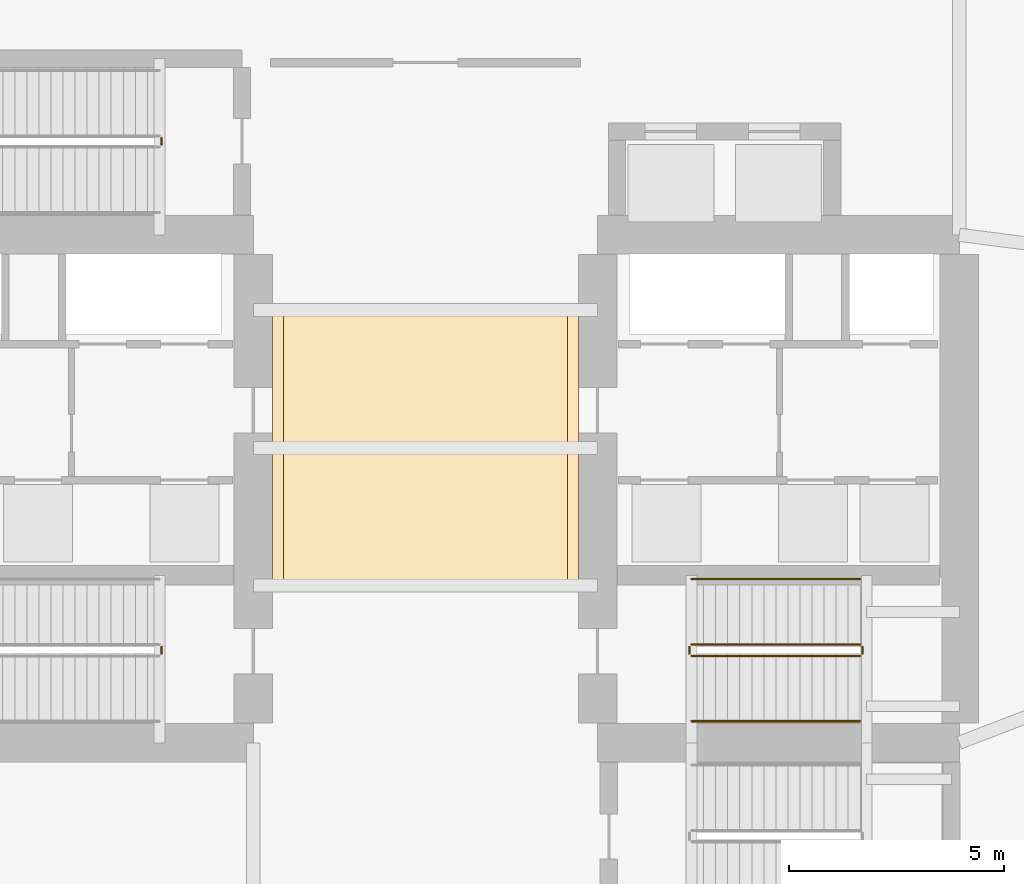
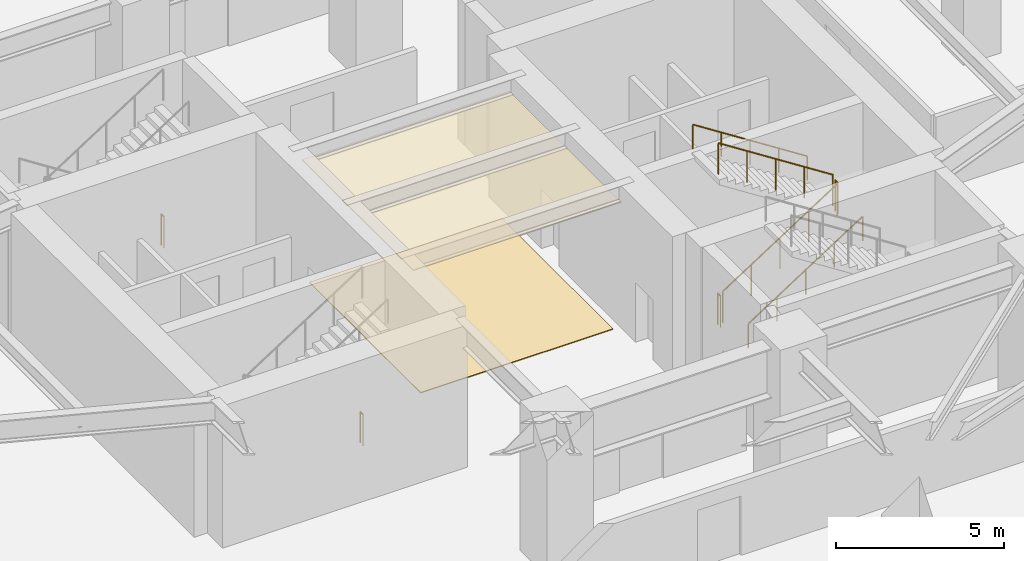
# One storey, part 22 of 24: 8 railings, 2 coverings.
"""IFC4 building model written with IfcOpenShell, lengths in metres."""

from ifc_helpers import new_model, si_unit, direction, frame, origin, origin_with_axes, origin_2d, place, context, subcontext, project, spatial, rectangle, circle, extrude, material, layer, layer_set, type_object, element, save


model = new_model("IFC4")

# Units and contexts
model_context = context("Model", 3, precision=1e-05, world=origin(), true_north=direction((0.0, 1.0)))
body_context = subcontext(model_context, "Body", "Model", "MODEL_VIEW")
ifc_project = project(units=[si_unit("LENGTHUNIT", "METRE"), si_unit("AREAUNIT", "SQUARE_METRE"), si_unit("VOLUMEUNIT", "CUBIC_METRE"), si_unit("PLANEANGLEUNIT", "RADIAN"), si_unit("MASSUNIT", "GRAM", prefix="KILO")], contexts=[model_context])

# Site, building, storey
site_placement = place(None, origin())
site = spatial("IfcSite", under=ifc_project, at=site_placement, CompositionType="ELEMENT")
building_placement = place(site_placement, origin())
building = spatial("IfcBuilding", under=site, at=building_placement, Name="Qingluan Cross Belvedere", CompositionType="ELEMENT")
storey_placement = place(building_placement, origin())
storey = spatial("IfcBuildingStorey", under=building, at=storey_placement, Name="L01", CompositionType="ELEMENT", Elevation=0.0)

# Coverings
ifc_material_1 = material(Name="Perforated gypsum acoustic ceiling board")
ifc_layer_1 = layer(ifc_material_1, 0.0400390625, Name="AcousticLobbyCeiling_40")
ifc_layer_set_1 = layer_set([ifc_layer_1], Name="Perforated gypsum acoustic ceiling board")
covering_type_1 = type_object("IfcCoveringType", Name="AcousticLobbyCeiling_40", PredefinedType="CEILING", material=ifc_layer_set_1)
covering_1_placement = place(storey_placement, frame((0.0, 0.0, 4.52197265625), z_axis=(0.0, 0.0, 1.0), x_axis=(1.0, 0.0, 0.0)))
element("IfcCovering", 1, at=covering_1_placement, inside=storey, type_object=covering_type_1, Name="Central lobby acoustic ceiling L01", PredefinedType="CEILING", context=body_context, shape_type="SweptSolid", body=[
    extrude(rectangle(XDim=7.10009765625, YDim=6.60009765625, at=origin_2d()), origin(), (0.0, 0.0, 1.0), 0.0400390625),
])
ifc_material_2 = material(Name="Honed Hubei grey granite stone flooring", Category="masonry")
ifc_layer_2 = layer(ifc_material_2, 0.030029296875, Name="GraniteLobbyFlooring_30")
ifc_layer_set_2 = layer_set([ifc_layer_2], Name="Honed Hubei grey granite stone flooring")
covering_type_2 = type_object("IfcCoveringType", Name="GraniteLobbyFlooring_30", PredefinedType="FLOORING", material=ifc_layer_set_2)
covering_2_placement = place(storey_placement, origin_with_axes())
element("IfcCovering", 2, at=covering_2_placement, inside=storey, type_object=covering_type_2, Name="Central lobby granite flooring L01", PredefinedType="FLOORING", context=body_context, shape_type="SweptSolid", body=[
    extrude(rectangle(XDim=6.60009765625, YDim=6.60009765625, at=origin_2d()), origin(), (0.0, 0.0, 1.0), 0.030029296875),
])

# Railings
ifc_material_3 = material(Name="Brushed stainless steel tubular handrail", Category="steel")
railing_type_1 = type_object("IfcRailingType", Name="StairPitchHandrail_900", PredefinedType="HANDRAIL", material=ifc_material_3)
railing_1_placement = place(storey_placement, frame((6.179931640625, -6.35009765625, 0.179931640625)))
element("IfcRailing", 3, at=railing_1_placement, inside=storey, type_object=railing_type_1, Name="L01 ST2 stair handrail 1", PredefinedType="HANDRAIL", context=body_context, shape_type="SweptSolid", body=[
    extrude(circle(Radius=0.02392578125, at=origin_2d()), frame((0.0, 0.0, 0.8759765625), z_axis=(0.841186985886, 0.0, 0.540744352514), x_axis=(0.0, 1.0, 0.0)), (0.0, 0.0, 1.0), 4.660400390625),
    extrude(circle(Radius=0.02099609375, at=origin_2d()), origin(), (0.0, 0.0, 1.0), 0.851806640625),
    extrude(circle(Radius=0.02099609375, at=origin_2d()), frame((0.97998046875, 0.0, 0.6298828125)), (0.0, 0.0, 1.0), 0.851806640625),
    extrude(circle(Radius=0.02099609375, at=origin_2d()), frame((1.9599609375, 0.0, 1.260009765625)), (0.0, 0.0, 1.0), 0.851806640625),
    extrude(circle(Radius=0.02099609375, at=origin_2d()), frame((2.940185546875, 0.0, 1.89013671875)), (0.0, 0.0, 1.0), 0.851806640625),
    extrude(circle(Radius=0.02099609375, at=origin_2d()), frame((3.920166015625, 0.0, 2.52001953125)), (0.0, 0.0, 1.0), 0.851806640625),
])
railing_2_placement = place(storey_placement, frame((10.10009765625, -3.050048828125, 2.8798828125)))
element("IfcRailing", 4, at=railing_2_placement, inside=storey, type_object=railing_type_1, Name="L01 ST2 stair handrail 2", PredefinedType="HANDRAIL", context=body_context, shape_type="SweptSolid", body=[
    extrude(circle(Radius=0.02392578125, at=origin_2d()), frame((0.0, 0.0, 0.8759765625), z_axis=(-0.841186985886, 0.0, 0.540744352514), x_axis=(0.0, -1.0, 0.0)), (0.0, 0.0, 1.0), 4.660400390625),
    extrude(circle(Radius=0.02099609375, at=origin_2d()), origin(), (0.0, 0.0, 1.0), 0.851806640625),
    extrude(circle(Radius=0.02099609375, at=origin_2d()), frame((-0.97998046875, 0.0, 0.6298828125)), (0.0, 0.0, 1.0), 0.851806640625),
    extrude(circle(Radius=0.02099609375, at=origin_2d()), frame((-1.9599609375, 0.0, 1.260009765625)), (0.0, 0.0, 1.0), 0.851806640625),
    extrude(circle(Radius=0.02099609375, at=origin_2d()), frame((-2.940185546875, 0.0, 1.89013671875)), (0.0, 0.0, 1.0), 0.851806640625),
    extrude(circle(Radius=0.02099609375, at=origin_2d()), frame((-3.920166015625, 0.0, 2.52001953125)), (0.0, 0.0, 1.0), 0.851806640625),
])
ifc_material_4 = material(Name="Painted steel stair well guard", Category="steel")
railing_type_2 = type_object("IfcRailingType", Name="StairWellGuard_1150", PredefinedType="BALUSTRADE", material=ifc_material_4)
railing_3_placement = place(storey_placement, frame((-6.1298828125, -4.6201171875, 0.0)))
element("IfcRailing", 5, at=railing_3_placement, inside=storey, type_object=railing_type_2, Name="L01 ST1 stair guard 4", PredefinedType="BALUSTRADE", context=body_context, shape_type="SweptSolid", body=[
    extrude(circle(Radius=0.02392578125, at=origin_2d()), frame((0.0, 0.0, 1.1259765625), z_axis=(0.0, -1.0, 0.0), x_axis=(1.0, 0.0, 0.0)), (0.0, 0.0, 1.0), 0.159912109375),
    extrude(circle(Radius=0.02099609375, at=origin_2d()), origin(), (0.0, 0.0, 1.0), 1.101806640625),
    extrude(circle(Radius=0.02099609375, at=origin_2d()), frame((0.0, -0.159912109375, 0.0)), (0.0, 0.0, 1.0), 1.101806640625),
])
railing_4_placement = place(storey_placement, frame((6.179931640625, -4.830078125, 0.179931640625)))
element("IfcRailing", 6, at=railing_4_placement, inside=storey, type_object=railing_type_2, Name="L01 ST2 stair guard 1", PredefinedType="BALUSTRADE", context=body_context, shape_type="SweptSolid", body=[
    extrude(circle(Radius=0.02392578125, at=origin_2d()), frame((0.0, 0.0, 1.1259765625), z_axis=(0.841186985886, 0.0, 0.540744352514), x_axis=(0.0, 1.0, 0.0)), (0.0, 0.0, 1.0), 4.660400390625),
    extrude(circle(Radius=0.02099609375, at=origin_2d()), origin(), (0.0, 0.0, 1.0), 1.101806640625),
    extrude(circle(Radius=0.02099609375, at=origin_2d()), frame((0.97998046875, 0.0, 0.6298828125)), (0.0, 0.0, 1.0), 1.101806640625),
    extrude(circle(Radius=0.02099609375, at=origin_2d()), frame((1.9599609375, 0.0, 1.260009765625)), (0.0, 0.0, 1.0), 1.101806640625),
    extrude(circle(Radius=0.02099609375, at=origin_2d()), frame((2.940185546875, 0.0, 1.89013671875)), (0.0, 0.0, 1.0), 1.101806640625),
    extrude(circle(Radius=0.02099609375, at=origin_2d()), frame((3.920166015625, 0.0, 2.52001953125)), (0.0, 0.0, 1.0), 1.101806640625),
])
railing_5_placement = place(storey_placement, frame((10.14990234375, -4.780029296875, 2.699951171875)))
element("IfcRailing", 7, at=railing_5_placement, inside=storey, type_object=railing_type_2, Name="L01 ST2 stair guard 2", PredefinedType="BALUSTRADE", context=body_context, shape_type="SweptSolid", body=[
    extrude(circle(Radius=0.02392578125, at=origin_2d()), frame((0.0, 0.0, 1.1259765625), z_axis=(0.0, 1.0, 0.0), x_axis=(-1.0, 0.0, 0.0)), (0.0, 0.0, 1.0), 0.159912109375),
    extrude(circle(Radius=0.02099609375, at=origin_2d()), origin(), (0.0, 0.0, 1.0), 1.101806640625),
    extrude(circle(Radius=0.02099609375, at=origin_2d()), frame((0.0, 0.159912109375, 0.0)), (0.0, 0.0, 1.0), 1.101806640625),
])
railing_6_placement = place(storey_placement, frame((10.10009765625, -4.570068359375, 2.8798828125)))
element("IfcRailing", 8, at=railing_6_placement, inside=storey, type_object=railing_type_2, Name="L01 ST2 stair guard 3", PredefinedType="BALUSTRADE", context=body_context, shape_type="SweptSolid", body=[
    extrude(circle(Radius=0.02392578125, at=origin_2d()), frame((0.0, 0.0, 1.1259765625), z_axis=(-0.841186985886, 0.0, 0.540744352514), x_axis=(0.0, -1.0, 0.0)), (0.0, 0.0, 1.0), 4.660400390625),
    extrude(circle(Radius=0.02099609375, at=origin_2d()), origin(), (0.0, 0.0, 1.0), 1.101806640625),
    extrude(circle(Radius=0.02099609375, at=origin_2d()), frame((-0.97998046875, 0.0, 0.6298828125)), (0.0, 0.0, 1.0), 1.101806640625),
    extrude(circle(Radius=0.02099609375, at=origin_2d()), frame((-1.9599609375, 0.0, 1.260009765625)), (0.0, 0.0, 1.0), 1.101806640625),
    extrude(circle(Radius=0.02099609375, at=origin_2d()), frame((-2.940185546875, 0.0, 1.89013671875)), (0.0, 0.0, 1.0), 1.101806640625),
    extrude(circle(Radius=0.02099609375, at=origin_2d()), frame((-3.920166015625, 0.0, 2.52001953125)), (0.0, 0.0, 1.0), 1.101806640625),
])
railing_7_placement = place(storey_placement, frame((6.1298828125, -4.780029296875, 0.0)))
element("IfcRailing", 9, at=railing_7_placement, inside=storey, type_object=railing_type_2, Name="L01 ST2 stair guard 4", PredefinedType="BALUSTRADE", context=body_context, shape_type="SweptSolid", body=[
    extrude(circle(Radius=0.02392578125, at=origin_2d()), frame((0.0, 0.0, 1.1259765625), z_axis=(0.0, 1.0, 0.0), x_axis=(-1.0, 0.0, 0.0)), (0.0, 0.0, 1.0), 0.159912109375),
    extrude(circle(Radius=0.02099609375, at=origin_2d()), origin(), (0.0, 0.0, 1.0), 1.101806640625),
    extrude(circle(Radius=0.02099609375, at=origin_2d()), frame((0.0, 0.159912109375, 0.0)), (0.0, 0.0, 1.0), 1.101806640625),
])
railing_8_placement = place(storey_placement, frame((-6.1298828125, 7.199951171875, 0.0)))
element("IfcRailing", 10, at=railing_8_placement, inside=storey, type_object=railing_type_2, Name="L01 ST3 stair guard 4", PredefinedType="BALUSTRADE", context=body_context, shape_type="SweptSolid", body=[
    extrude(circle(Radius=0.02392578125, at=origin_2d()), frame((0.0, 0.0, 1.1259765625), z_axis=(0.0, -1.0, 0.0), x_axis=(1.0, 0.0, 0.0)), (0.0, 0.0, 1.0), 0.159912109375),
    extrude(circle(Radius=0.02099609375, at=origin_2d()), origin(), (0.0, 0.0, 1.0), 1.101806640625),
    extrude(circle(Radius=0.02099609375, at=origin_2d()), frame((0.0, -0.159912109375, 0.0)), (0.0, 0.0, 1.0), 1.101806640625),
])

save(model, "model.ifc")
